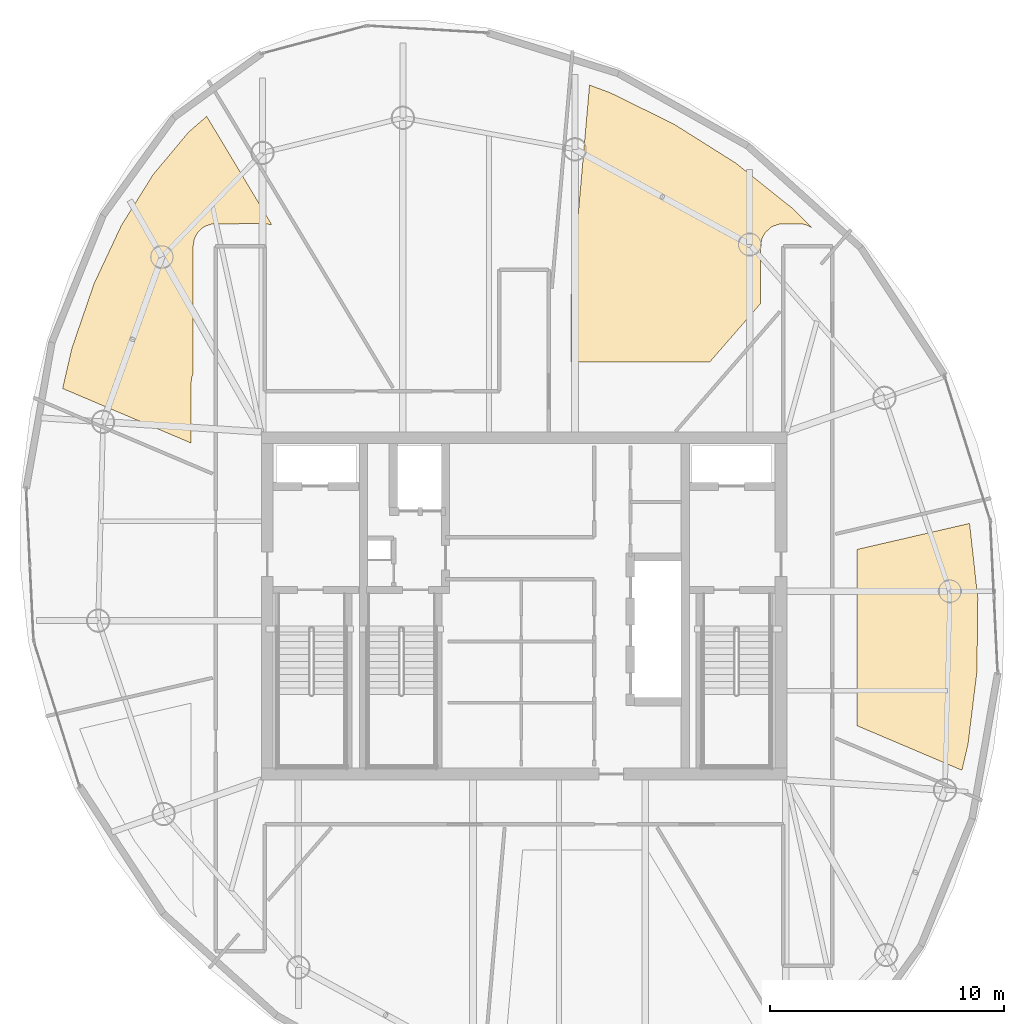
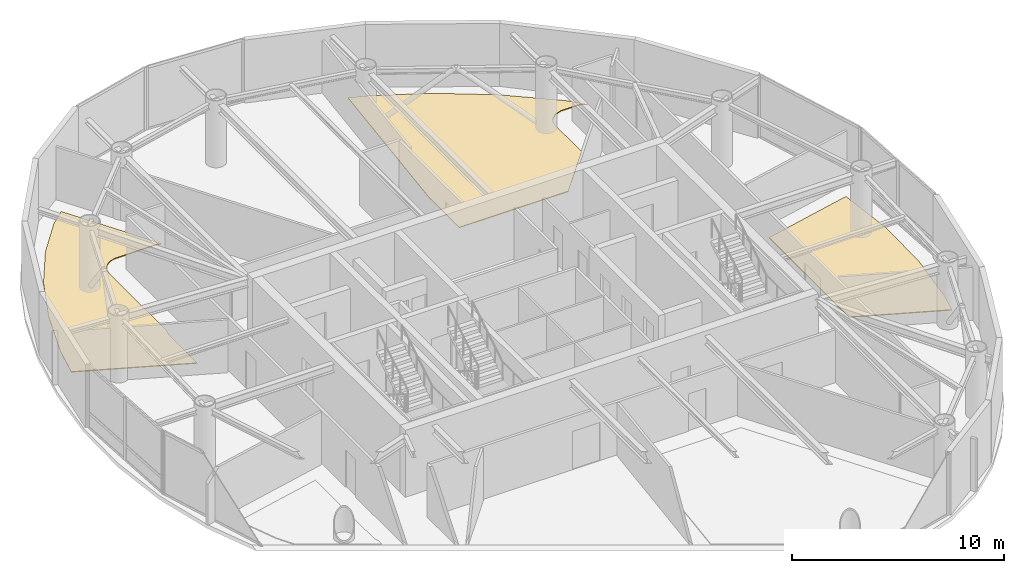
# One storey, part 19 of 19: 3 coverings.
"""IFC4 building model written with IfcOpenShell, lengths in metres."""

from ifc_helpers import new_model, si_unit, direction, frame, origin, place, context, subcontext, project, spatial, polyline, outline, extrude, material, layer, layer_set, type_object, element, save


model = new_model("IFC4")

# Units and contexts
model_context = context("Model", 3, precision=1e-05, world=origin(), true_north=direction((0.0, 1.0)))
body_context = subcontext(model_context, "Body", "Model", "MODEL_VIEW")
ifc_project = project(units=[si_unit("LENGTHUNIT", "METRE"), si_unit("AREAUNIT", "SQUARE_METRE"), si_unit("VOLUMEUNIT", "CUBIC_METRE"), si_unit("PLANEANGLEUNIT", "RADIAN"), si_unit("MASSUNIT", "GRAM", prefix="KILO")], contexts=[model_context])

# Site, building, storey
site_placement = place(None, origin())
site = spatial("IfcSite", under=ifc_project, at=site_placement, CompositionType="ELEMENT")
building_placement = place(site_placement, origin())
building = spatial("IfcBuilding", under=site, at=building_placement, Name="Bramvorn Convention Spire", CompositionType="ELEMENT")
storey_placement = place(building_placement, frame((0.0, 0.0, 292.10009765625)))
storey = spatial("IfcBuildingStorey", under=building, at=storey_placement, Name="L74", CompositionType="ELEMENT", Elevation=292.10009765625)

# Coverings
ifc_material = material(Name="Calcium-Sulphate Raised Access Office Floor", Category="steel")
ifc_layer = layer(ifc_material, 0.044921875)
ifc_layer_set = layer_set([ifc_layer], Name="Calcium-Sulphate Raised Access Office Floor - FLR-RAISED-45")
covering_type = type_object("IfcCoveringType", Name="FLR-RAISED-45", PredefinedType="FLOORING", material=ifc_layer_set)
covering_1_placement = place(storey_placement, origin())
element("IfcCovering", 1, at=covering_1_placement, inside=storey, type_object=covering_type, Name="L74 Design Office Studio B 2 raised floor finish", PredefinedType="FLOORING", context=body_context, shape_type="SweptSolid", body=[
    extrude(outline(polyline([(41.68310546875, 47.97705078125), (40.804443359375, 48.301513671875), (40.02001953125, 39.3359375), (40.02001953125, 36.449951171875), (45.957763671875, 36.449951171875), (48.1298828125, 38.94873046875), (48.131591796875, 41.45361328125), (48.188720703125, 41.732421875), (48.324462890625, 41.982421875), (48.6064453125, 42.23486328125), (48.96337890625, 42.360107421875), (49.906005859375, 42.360107421875), (50.103515625, 42.31005859375), (50.31103515625, 42.20263671875), (49.522705078125, 43.0029296875), (47.05322265625, 44.971435546875), (44.412353515625, 46.634521484375), (41.68310546875, 47.97705078125)])), origin(), (0.0, 0.0, 1.0), 0.044921875),
])
covering_2_placement = place(storey_placement, origin())
element("IfcCovering", 2, at=covering_2_placement, inside=storey, type_object=covering_type, Name="L74 Client Meeting Pin-Up Room 2 4 raised floor finish", PredefinedType="FLOORING", context=body_context, shape_type="SweptSolid", body=[
    extrude(outline(polyline([(18.64111328125, 37.035888671875), (18.242431640625, 35.31005859375), (23.75, 32.97216796875), (23.75, 35.60009765625), (23.766357421875, 35.765869140625), (23.830078125, 35.95751953125), (23.830078125, 41.39990234375), (23.888916015625, 41.732421875), (24.017578125, 41.972900390625), (24.217529296875, 42.175537109375), (24.390625, 42.279296875), (24.65185546875, 42.3583984375), (26.89990234375, 42.3701171875), (27.20166015625, 42.321044921875), (24.41259765625, 46.963134765625), (23.6396484375, 46.29150390625), (22.114990234375, 44.46533203125), (20.75634765625, 42.28857421875), (19.587646484375, 39.795166015625), (18.64111328125, 37.035888671875)])), origin(), (0.0, 0.0, 1.0), 0.044921875),
])
covering_3_placement = place(storey_placement, origin())
element("IfcCovering", 3, at=covering_3_placement, inside=storey, type_object=covering_type, Name="L74 Design Office Studio B 10 raised floor finish", PredefinedType="FLOORING", context=body_context, shape_type="SweptSolid", body=[
    extrude(outline(polyline([(57.07763671875, 29.531982421875), (52.25, 28.41748046875), (52.25, 20.87451171875), (56.75244140625, 18.96337890625), (57.01416015625, 20.095703125), (57.394287109375, 23.193115234375), (57.4296875, 26.351318359375), (57.07763671875, 29.531982421875)])), origin(), (0.0, 0.0, 1.0), 0.044921875),
])

save(model, "model.ifc")
